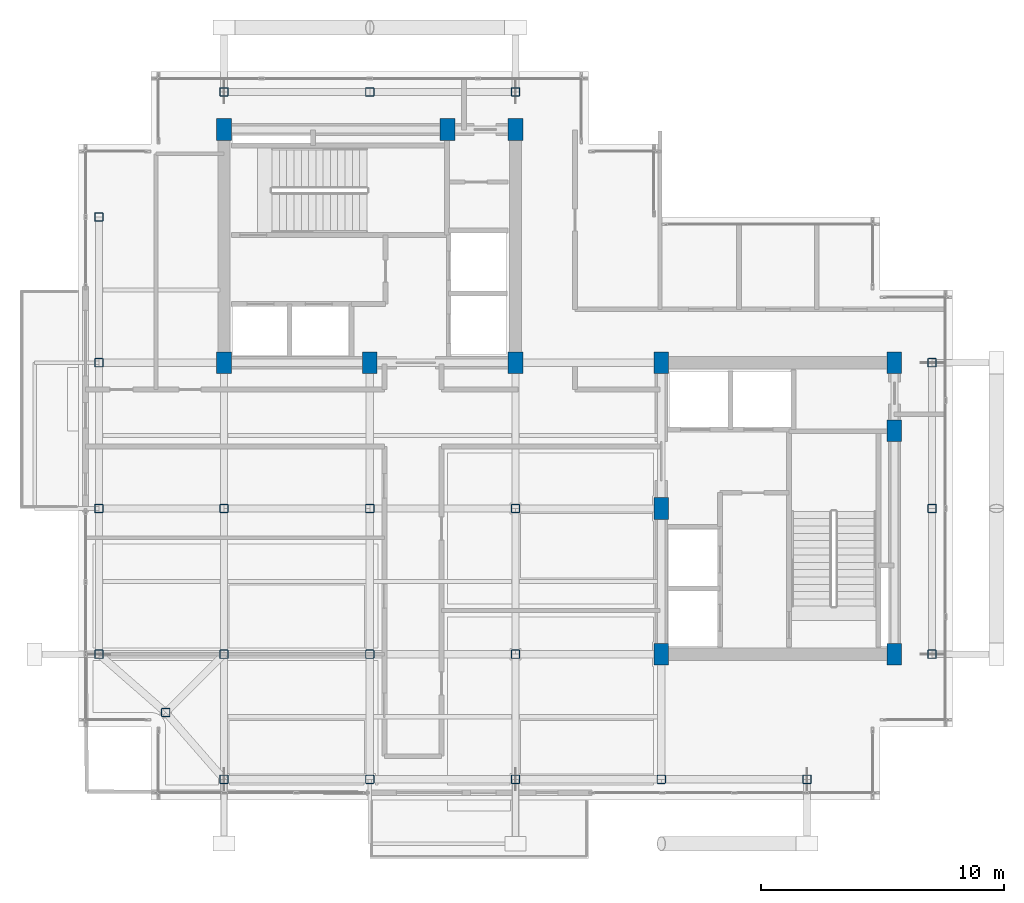
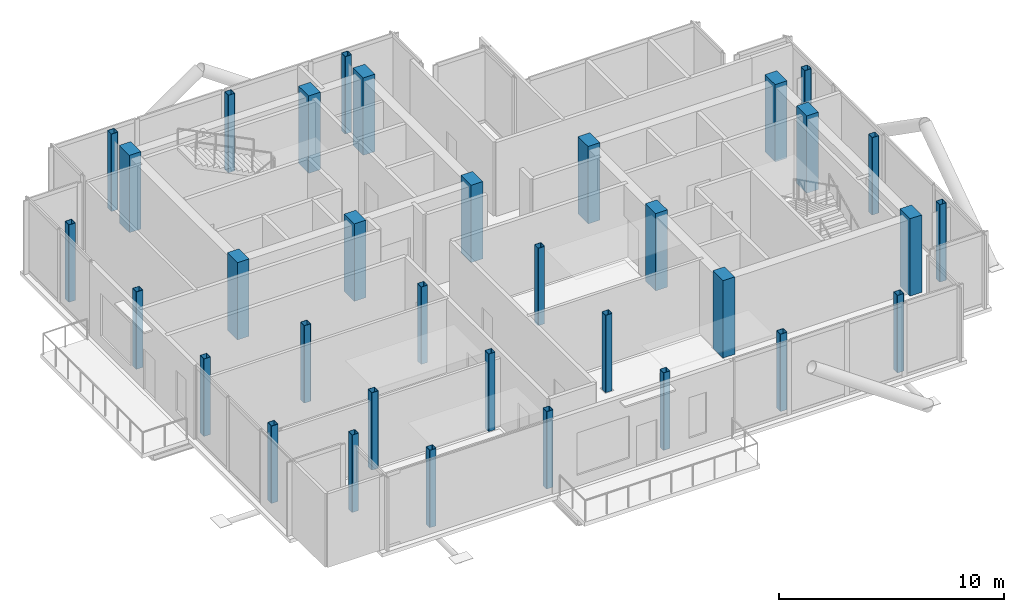
# One storey, part 1 of 16: 34 columns.
"""IFC4 building model written with IfcOpenShell, lengths in metres."""

from ifc_helpers import new_model, si_unit, direction, frame, origin, origin_2d, place, context, subcontext, project, spatial, rectangle, hollow_rectangle, extrude, material, material_profile, profile_set, type_object, element, save


model = new_model("IFC4")

# Units and contexts
model_context = context("Model", 3, precision=1e-05, world=origin(), true_north=direction((0.0, 1.0)))
body_context = subcontext(model_context, "Body", "Model", "MODEL_VIEW")
ifc_project = project(units=[si_unit("LENGTHUNIT", "METRE"), si_unit("AREAUNIT", "SQUARE_METRE"), si_unit("VOLUMEUNIT", "CUBIC_METRE"), si_unit("PLANEANGLEUNIT", "RADIAN"), si_unit("MASSUNIT", "GRAM", prefix="KILO"), si_unit("THERMODYNAMICTEMPERATUREUNIT", "KELVIN"), si_unit("POWERUNIT", "WATT")], contexts=[model_context])

# Site, building, storey
site_placement = place(None, origin())
site = spatial("IfcSite", under=ifc_project, at=site_placement, CompositionType="ELEMENT")
building_placement = place(site_placement, origin())
building = spatial("IfcBuilding", under=site, at=building_placement, Name="Svarakhadi Broadcast Tower", CompositionType="ELEMENT")
storey_placement = place(building_placement, frame((0.0, 0.0, 292.199951171875)))
storey = spatial("IfcBuildingStorey", under=building, at=storey_placement, Name="L74", CompositionType="ELEMENT", Elevation=292.199951171875)

# Columns
ifc_material_1 = material(Name="Concrete C50/60 (IS 456 M60)", Category="concrete")
ifc_material_profile_1 = material_profile(ifc_material_1, rectangle(XDim=0.60009765625, YDim=0.89990234375, at=origin_2d()), Name="RC 600x900")
ifc_profile_set_1 = profile_set([ifc_material_profile_1], Name="Concrete C50/60 (IS 456 M60)")
column_type_1 = type_object("IfcColumnType", Name="Col_RC600", PredefinedType="COLUMN", material=ifc_profile_set_1)
for number, where, z_axis, x_axis, name in (
    (1, (6.0, 18.0, 0.0), (0.0, 0.0, 1.0), (1.0, 0.0, 0.0), "L74 Column CW1"),
    (2, (12.0, 18.0, 0.0), (0.0, 0.0, 1.0), (1.0, 0.0, 0.0), "L74 Column CW2"),
    (3, (18.0, 18.0, 0.0), (0.0, 0.0, 1.0), (1.0, 0.0, 0.0), "L74 Column CW3"),
    (4, (6.0, 27.60009765625, 0.0), (0.0, 0.0, 1.0), (1.0, 0.0, 0.0), "L74 Column CW4"),
    (5, (15.199951171875, 27.60009765625, 0.0), (0.0, 0.0, 1.0), (1.0, 0.0, 0.0), "L74 Column CW5"),
    (6, (18.0, 27.60009765625, 0.0), (0.0, 0.0, 1.0), (1.0, 0.0, 0.0), "L74 Column CW6"),
    (7, (24.0, 6.0, 0.0), (0.0, 0.0, 1.0), (1.0, 0.0, 0.0), "L74 Column CE1"),
    (8, (24.0, 12.0, 0.0), (0.0, 0.0, 1.0), (1.0, 0.0, 0.0), "L74 Column CE2"),
    (9, (24.0, 18.0, 0.0), (0.0, 0.0, 1.0), (1.0, 0.0, 0.0), "L74 Column CE3"),
    (10, (33.60009765625, 6.0, 0.0), (0.0, 0.0, 1.0), (1.0, 0.0, 0.0), "L74 Column CE4"),
    (11, (33.60009765625, 15.199951171875, 0.0), (0.0, 0.0, 1.0), (1.0, 0.0, 0.0), "L74 Column CE5"),
    (12, (33.60009765625, 18.0, 0.0), (0.0, 0.0, 1.0), (1.0, 0.0, 0.0), "L74 Column CE6"),
):
    element("IfcColumn", number, at=place(storey_placement, frame(where, z_axis=z_axis, x_axis=x_axis)), inside=storey, type_object=column_type_1, Name=name, PredefinedType="COLUMN", context=body_context, shape_type="SweptSolid", body=[
        extrude(rectangle(XDim=0.60009765625, YDim=0.89990234375, at=origin_2d()), origin(), (0.0, 0.0, 1.0), 4.199951171875),
    ])
ifc_material_2 = material(Name="Steel S460ML (IS 2062 E450BR)", Category="steel")
ifc_material_profile_2 = material_profile(ifc_material_2, hollow_rectangle(XDim=0.35009765625, YDim=0.35009765625, WallThickness=0.01611328125, InnerFilletRadius=0.01611328125, OuterFilletRadius=0.031982421875, at=origin_2d()), Name="SHS 350x350x16")
ifc_profile_set_2 = profile_set([ifc_material_profile_2], Name="Steel S460ML (IS 2062 E450BR)")
column_type_2 = type_object("IfcColumnType", Name="Col_SHS350", PredefinedType="COLUMN", material=ifc_profile_set_2)
for number, where, z_axis, x_axis, name in (
    (13, (3.60009765625, 3.60009765625, 0.0), (0.0, 0.0, 1.0), (1.0, 0.0, 0.0), "L74 Column G01"),
    (14, (0.85009765625, 6.0, 0.0), (0.0, 0.0, 1.0), (1.0, 0.0, 0.0), "L74 Column G03"),
    (15, (0.85009765625, 12.0, 0.0), (0.0, 0.0, 1.0), (1.0, 0.0, 0.0), "L74 Column G04"),
    (16, (0.85009765625, 18.0, 0.0), (0.0, 0.0, 1.0), (1.0, 0.0, 0.0), "L74 Column G05"),
    (17, (0.85009765625, 24.0, 0.0), (0.0, 0.0, 1.0), (1.0, 0.0, 0.0), "L74 Column G06"),
    (18, (6.0, 0.85009765625, 0.0), (0.0, 0.0, 1.0), (1.0, 0.0, 0.0), "L74 Column G11"),
    (19, (6.0, 6.0, 0.0), (0.0, 0.0, 1.0), (1.0, 0.0, 0.0), "L74 Column G12"),
    (20, (6.0, 12.0, 0.0), (0.0, 0.0, 1.0), (1.0, 0.0, 0.0), "L74 Column G13"),
    (21, (6.0, 29.14990234375, 0.0), (0.0, 0.0, 1.0), (1.0, 0.0, 0.0), "L74 Column G14"),
    (22, (12.0, 0.85009765625, 0.0), (0.0, 0.0, 1.0), (1.0, 0.0, 0.0), "L74 Column G18"),
    (23, (12.0, 6.0, 0.0), (0.0, 0.0, 1.0), (1.0, 0.0, 0.0), "L74 Column G19"),
    (24, (12.0, 12.0, 0.0), (0.0, 0.0, 1.0), (1.0, 0.0, 0.0), "L74 Column G20"),
    (25, (12.0, 29.14990234375, 0.0), (0.0, 0.0, 1.0), (1.0, 0.0, 0.0), "L74 Column G21"),
    (26, (18.0, 0.85009765625, 0.0), (0.0, 0.0, 1.0), (1.0, 0.0, 0.0), "L74 Column G25"),
    (27, (18.0, 6.0, 0.0), (0.0, 0.0, 1.0), (1.0, 0.0, 0.0), "L74 Column G26"),
    (28, (18.0, 12.0, 0.0), (0.0, 0.0, 1.0), (1.0, 0.0, 0.0), "L74 Column G27"),
    (29, (18.0, 29.14990234375, 0.0), (0.0, 0.0, 1.0), (1.0, 0.0, 0.0), "L74 Column G28"),
    (30, (24.0, 0.85009765625, 0.0), (0.0, 0.0, 1.0), (1.0, 0.0, 0.0), "L74 Column G32"),
    (31, (30.0, 0.85009765625, 0.0), (0.0, 0.0, 1.0), (1.0, 0.0, 0.0), "L74 Column G36"),
    (32, (35.14990234375, 6.0, 0.0), (0.0, 0.0, 1.0), (1.0, 0.0, 0.0), "L74 Column G39"),
    (33, (35.14990234375, 12.0, 0.0), (0.0, 0.0, 1.0), (1.0, 0.0, 0.0), "L74 Column G40"),
    (34, (35.14990234375, 18.0, 0.0), (0.0, 0.0, 1.0), (1.0, 0.0, 0.0), "L74 Column G41"),
):
    element("IfcColumn", number, at=place(storey_placement, frame(where, z_axis=z_axis, x_axis=x_axis)), inside=storey, type_object=column_type_2, Name=name, PredefinedType="COLUMN", context=body_context, shape_type="SweptSolid", body=[
        extrude(hollow_rectangle(XDim=0.35009765625, YDim=0.35009765625, WallThickness=0.01611328125, InnerFilletRadius=0.01611328125, OuterFilletRadius=0.031982421875, at=origin_2d()), origin(), (0.0, 0.0, 1.0), 4.199951171875),
    ])

save(model, "model.ifc")
